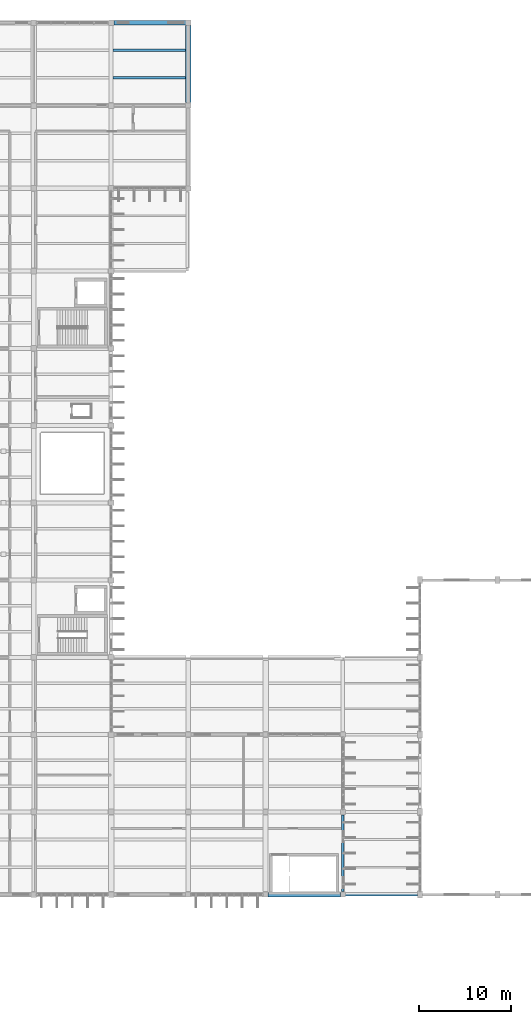
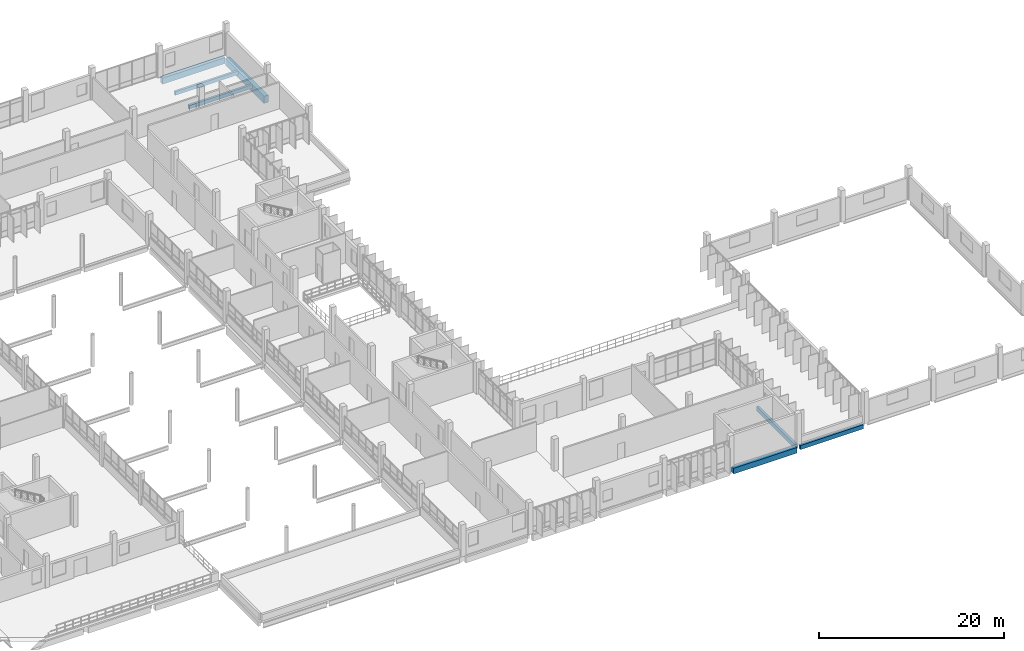
# One storey, part 84 of 130: 7 beams.
"""IFC4 building model written with IfcOpenShell, lengths in metres."""

from ifc_helpers import new_model, si_unit, direction, frame, origin, origin_2d, place, context, subcontext, project, spatial, rectangle, extrude, material, material_profile, profile_set, type_object, element, save


model = new_model("IFC4")

# Units and contexts
model_context = context("Model", 3, precision=1e-05, world=origin(), true_north=direction((0.0, 1.0)))
body_context = subcontext(model_context, "Body", "Model", "MODEL_VIEW")
ifc_project = project(units=[si_unit("LENGTHUNIT", "METRE"), si_unit("AREAUNIT", "SQUARE_METRE"), si_unit("VOLUMEUNIT", "CUBIC_METRE"), si_unit("PLANEANGLEUNIT", "RADIAN"), si_unit("MASSUNIT", "GRAM", prefix="KILO")], contexts=[model_context])

# Site, building, storey
site_placement = place(None, origin())
site = spatial("IfcSite", under=ifc_project, at=site_placement, CompositionType="ELEMENT")
building_placement = place(site_placement, origin())
building = spatial("IfcBuilding", under=site, at=building_placement, Name="Vireocrest Preparatory School", CompositionType="ELEMENT")
storey_placement = place(building_placement, frame((0.0, 0.0, 9.0)))
storey = spatial("IfcBuildingStorey", under=building, at=storey_placement, Name="L02", CompositionType="ELEMENT", Elevation=9.0)

# Beams
ifc_material = material(Name="Concrete 40 MPa", Category="concrete")
ifc_material_profile_1 = material_profile(ifc_material, rectangle(XDim=0.300048828125, YDim=0.60009765625, at=origin_2d()), Name="RC 300x600")
ifc_profile_set_1 = profile_set([ifc_material_profile_1], Name="Concrete 40 MPa")
beam_type_1 = type_object("IfcBeamType", Name="RC Classroom Beam 300x600", PredefinedType="BEAM", material=ifc_profile_set_1)
beam_1_placement = place(storey_placement, frame((134.39990234375, 18.324951171875, -0.56005859375), z_axis=(0.0, 1.0, 0.0), x_axis=(-1.0, 0.0, 0.0)))
element("IfcBeam", 1, at=beam_1_placement, inside=storey, type_object=beam_type_1, Name="Primary Girder B03 L02-0878", PredefinedType="BEAM", context=body_context, shape_type="SweptSolid", body=[
    extrude(rectangle(XDim=0.300048828125, YDim=0.60009765625, at=origin_2d()), origin(), (0.0, 0.0, 1.0), 8.35009765625),
])
ifc_material_profile_2 = material_profile(ifc_material, rectangle(XDim=0.449951171875, YDim=0.75, at=origin_2d()), Name="RC 450x750")
ifc_profile_set_2 = profile_set([ifc_material_profile_2], Name="Concrete 40 MPa")
beam_type_2 = type_object("IfcBeamType", Name="RC Library Stack Girder 450x750", PredefinedType="BEAM", material=ifc_profile_set_2)
beam_2_placement = place(storey_placement, frame((126.25, 18.0, -0.635009765625), z_axis=(1.0, 0.0, 0.0), x_axis=(0.0, 1.0, 0.0)))
element("IfcBeam", 2, at=beam_2_placement, inside=storey, type_object=beam_type_2, Name="Primary Girder B11 L02-0687", PredefinedType="BEAM", context=body_context, shape_type="SweptSolid", body=[
    extrude(rectangle(XDim=0.449951171875, YDim=0.75, at=origin_2d()), origin(), (0.0, 0.0, 1.0), 7.89990234375),
])
ifc_material_profile_3 = material_profile(ifc_material, rectangle(XDim=0.449951171875, YDim=0.800048828125, at=origin_2d()), Name="RC 450x800")
ifc_profile_set_3 = profile_set([ifc_material_profile_3], Name="Concrete 40 MPa")
beam_type_3 = type_object("IfcBeamType", Name="RC Library Stack Girder 450x800", PredefinedType="BEAM", material=ifc_profile_set_3)
beam_3_placement = place(storey_placement, frame((109.52490234375, 112.800048828125, -0.679931640625), z_axis=(1.0, 0.0, 0.0), x_axis=(0.0, 1.0, 0.0)))
element("IfcBeam", 3, at=beam_3_placement, inside=storey, type_object=beam_type_3, Name="Primary Girder B12 L02-0782", PredefinedType="BEAM", context=body_context, shape_type="SweptSolid", body=[
    extrude(rectangle(XDim=0.449951171875, YDim=0.800048828125, at=origin_2d()), origin(), (0.0, 0.0, 1.0), 7.8251953125),
])
ifc_material_profile_4 = material_profile(ifc_material, rectangle(XDim=0.300048828125, YDim=0.550048828125, at=origin_2d()), Name="RC 300x550")
ifc_profile_set_4 = profile_set([ifc_material_profile_4], Name="Concrete 40 MPa")
beam_type_4 = type_object("IfcBeamType", Name="RC Roof Girder 300x550", PredefinedType="BEAM", material=ifc_profile_set_4)
beam_4_placement = place(storey_placement, frame((134.64990234375, 18.0, -0.4951171875), z_axis=(1.0, 0.0, 0.0), x_axis=(0.0, 1.0, 0.0)))
element("IfcBeam", 4, at=beam_4_placement, inside=storey, type_object=beam_type_4, Name="Primary Girder B02 L02-0688", PredefinedType="BEAM", context=body_context, shape_type="SweptSolid", body=[
    extrude(rectangle(XDim=0.300048828125, YDim=0.550048828125, at=origin_2d()), origin(), (0.0, 0.0, 1.0), 7.875),
])
ifc_material_profile_5 = material_profile(ifc_material, rectangle(XDim=0.280029296875, YDim=0.47998046875, at=origin_2d()), Name="RC 280x480")
ifc_profile_set_5 = profile_set([ifc_material_profile_5], Name="Concrete 40 MPa")
beam_type_5 = type_object("IfcBeamType", Name="RC Secondary Lab Joist 280x480", PredefinedType="JOIST", material=ifc_profile_set_5)
for number, where, z_axis, x_axis, name in (
    (5, (109.425048828125, 106.800048828125, -0.52001953125), (1.0, 0.0, 0.0), (0.0, 1.0, 0.0), "Secondary Joist J02 L02-1014"),
    (6, (109.425048828125, 109.800048828125, -0.52001953125), (1.0, 0.0, 0.0), (0.0, 1.0, 0.0), "Secondary Joist J02 L02-1015"),
):
    element("IfcBeam", number, at=place(storey_placement, frame(where, z_axis=z_axis, x_axis=x_axis)), inside=storey, type_object=beam_type_5, Name=name, PredefinedType="JOIST", context=body_context, shape_type="SweptSolid", body=[
        extrude(rectangle(XDim=0.280029296875, YDim=0.47998046875, at=origin_2d()), origin(), (0.0, 0.0, 1.0), 7.89990234375),
    ])
ifc_material_profile_6 = material_profile(ifc_material, rectangle(XDim=0.550048828125, YDim=0.949951171875, at=origin_2d()), Name="RC 550x950")
ifc_profile_set_6 = profile_set([ifc_material_profile_6], Name="Concrete 40 MPa")
beam_type_6 = type_object("IfcBeamType", Name="RC Setback Edge Girder 550x950", PredefinedType="BEAM", material=ifc_profile_set_6)
beam_5_placement = place(storey_placement, frame((117.60009765625, 104.125, -0.7548828125), z_axis=(0.0, 1.0, 0.0), x_axis=(-1.0, 0.0, 0.0)))
element("IfcBeam", 7, at=beam_5_placement, inside=storey, type_object=beam_type_6, Name="Primary Girder B17 L02-0874", PredefinedType="BEAM", context=body_context, shape_type="SweptSolid", body=[
    extrude(rectangle(XDim=0.550048828125, YDim=0.949951171875, at=origin_2d()), origin(), (0.0, 0.0, 1.0), 8.35009765625),
])

save(model, "model.ifc")
